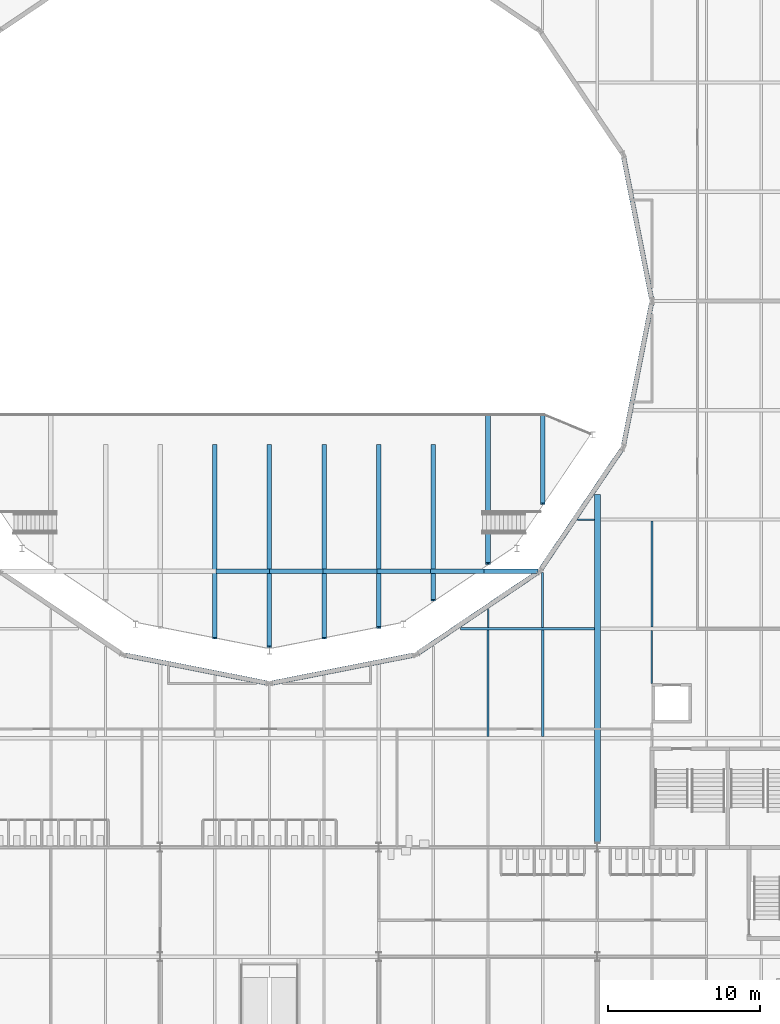
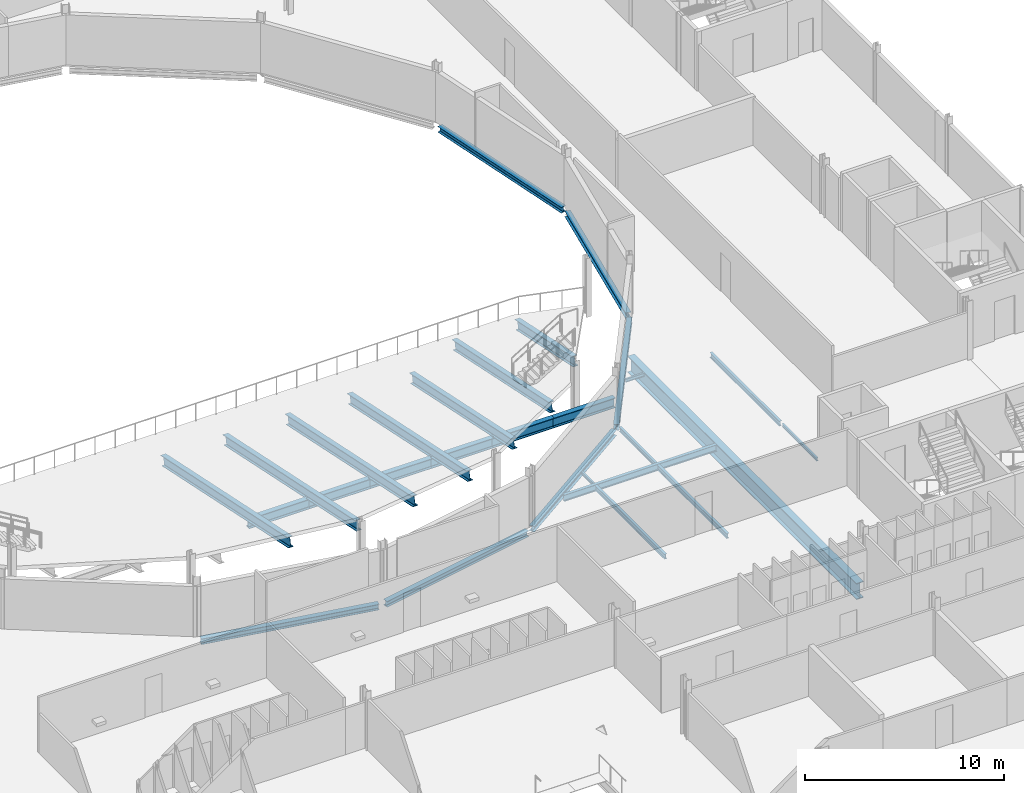
# One storey, part 36 of 124: 22 beams, 6 members.
"""IFC4 building model written with IfcOpenShell, lengths in metres."""

from ifc_helpers import new_model, si_unit, direction, frame, origin, origin_2d, place, context, subcontext, project, spatial, i_section, extrude, material, material_profile, profile_set, type_object, element, save


model = new_model("IFC4")

# Units and contexts
model_context = context("Model", 3, precision=1e-05, world=origin(), true_north=direction((0.0, 1.0)))
body_context = subcontext(model_context, "Body", "Model", "MODEL_VIEW")
ifc_project = project(units=[si_unit("LENGTHUNIT", "METRE"), si_unit("AREAUNIT", "SQUARE_METRE"), si_unit("VOLUMEUNIT", "CUBIC_METRE"), si_unit("PLANEANGLEUNIT", "RADIAN"), si_unit("MASSUNIT", "GRAM", prefix="KILO")], contexts=[model_context])

# Site, building, storey
site_placement = place(None, origin())
site = spatial("IfcSite", under=ifc_project, at=site_placement, CompositionType="ELEMENT")
building_placement = place(site_placement, origin())
building = spatial("IfcBuilding", under=site, at=building_placement, Name="Kupolbacken Congress Centre", CompositionType="ELEMENT")
storey_placement = place(building_placement, frame((0.0, 0.0, 10.800048828125)))
storey = spatial("IfcBuildingStorey", under=building, at=storey_placement, Name="L03", CompositionType="ELEMENT", Elevation=10.800048828125)

# Beams
ifc_material_1 = material(Name="Steel S355", Category="steel")
ifc_material_profile_1 = material_profile(ifc_material_1, i_section(OverallWidth=0.10009765625, OverallDepth=0.199951171875, WebThickness=0.005615234375, FlangeThickness=0.008544921875, FilletRadius=0.011962890625, at=origin_2d()), Name="IPE 200")
ifc_profile_set_1 = profile_set([ifc_material_profile_1], Name="Steel S355")
beam_type_1 = type_object("IfcBeamType", Name="B01 beam IPE 200", PredefinedType="BEAM", material=ifc_profile_set_1)
beam_1_placement = place(storey_placement, frame((63.50927734375, 72.0, -0.280029296875), z_axis=(1.0, 0.0, 0.0), x_axis=(0.0, 1.0, 0.0)))
element("IfcBeam", 1, at=beam_1_placement, inside=storey, type_object=beam_type_1, Name="S/floor/P/L03/R049", PredefinedType="BEAM", context=body_context, shape_type="SweptSolid", body=[
    extrude(i_section(OverallWidth=0.10009765625, OverallDepth=0.199951171875, WebThickness=0.005615234375, FlangeThickness=0.008544921875, FilletRadius=0.011962890625, at=origin_2d()), origin(), (0.0, 0.0, 1.0), 1.0908203125),
])
beam_2_placement = place(storey_placement, frame((57.60009765625, 64.889892578125, -0.280029296875), z_axis=(0.0, 1.0, 0.0), x_axis=(-1.0, 0.0, 0.0)))
element("IfcBeam", 2, at=beam_2_placement, inside=storey, type_object=beam_type_1, Name="S/floor/P/L03/S130", PredefinedType="BEAM", context=body_context, shape_type="SweptSolid", body=[
    extrude(i_section(OverallWidth=0.10009765625, OverallDepth=0.199951171875, WebThickness=0.005615234375, FlangeThickness=0.008544921875, FilletRadius=0.011962890625, at=origin_2d()), origin(), (0.0, 0.0, 1.0), 1.200927734375),
])
beam_3_placement = place(storey_placement, frame((68.39990234375, 61.199951171875, -0.280029296875), z_axis=(0.0, 1.0, 0.0), x_axis=(-1.0, 0.0, 0.0)))
element("IfcBeam", 3, at=beam_3_placement, inside=storey, type_object=beam_type_1, Name="S/floor/P/L03/S167", PredefinedType="BEAM", context=body_context, shape_type="SweptSolid", body=[
    extrude(i_section(OverallWidth=0.10009765625, OverallDepth=0.199951171875, WebThickness=0.005615234375, FlangeThickness=0.008544921875, FilletRadius=0.011962890625, at=origin_2d()), origin(), (0.0, 0.0, 1.0), 3.489990234375),
])
ifc_material_2 = material(Name="Steel S355", Category="steel")
ifc_material_profile_2 = material_profile(ifc_material_2, i_section(OverallWidth=0.135009765625, OverallDepth=0.27001953125, WebThickness=0.006591796875, FlangeThickness=0.01025390625, FilletRadius=0.014892578125, at=origin_2d()), Name="IPE 270")
ifc_profile_set_2 = profile_set([ifc_material_profile_2], Name="Steel S355")
beam_type_2 = type_object("IfcBeamType", Name="B03 beam IPE 270", PredefinedType="BEAM", material=ifc_profile_set_2)
beam_4_placement = place(storey_placement, frame((61.199951171875, 64.889892578125, -0.31494140625), z_axis=(0.0, 1.0, 0.0), x_axis=(-1.0, 0.0, 0.0)))
element("IfcBeam", 4, at=beam_4_placement, inside=storey, type_object=beam_type_2, Name="S/floor/P/L03/S136", PredefinedType="BEAM", context=body_context, shape_type="SweptSolid", body=[
    extrude(i_section(OverallWidth=0.135009765625, OverallDepth=0.27001953125, WebThickness=0.006591796875, FlangeThickness=0.01025390625, FilletRadius=0.014892578125, at=origin_2d()), origin(), (0.0, 0.0, 1.0), 3.63818359375),
])
ifc_material_3 = material(Name="Steel S355", Category="steel")
ifc_material_profile_3 = material_profile(ifc_material_3, i_section(OverallWidth=0.14990234375, OverallDepth=0.300048828125, WebThickness=0.007080078125, FlangeThickness=0.0107421875, FilletRadius=0.014892578125, at=origin_2d()), Name="IPE 300")
ifc_profile_set_3 = profile_set([ifc_material_profile_3], Name="Steel S355")
beam_type_3 = type_object("IfcBeamType", Name="B04 beam IPE 300", PredefinedType="BEAM", material=ifc_profile_set_3)
for number, where, z_axis, x_axis, name in (
    (5, (57.60009765625, 57.7099609375, -0.330078125), (0.0, 1.0, 0.0), (-1.0, 0.0, 0.0), "S/floor/P/L03/S129"),
    (6, (61.199951171875, 57.7099609375, -0.330078125), (0.0, 1.0, 0.0), (-1.0, 0.0, 0.0), "S/floor/P/L03/S135"),
):
    element("IfcBeam", number, at=place(storey_placement, frame(where, z_axis=z_axis, x_axis=x_axis)), inside=storey, type_object=beam_type_3, Name=name, PredefinedType="BEAM", context=body_context, shape_type="SweptSolid", body=[
        extrude(i_section(OverallWidth=0.14990234375, OverallDepth=0.300048828125, WebThickness=0.007080078125, FlangeThickness=0.0107421875, FilletRadius=0.014892578125, at=origin_2d()), origin(), (0.0, 0.0, 1.0), 7.0),
    ])
beam_5_placement = place(storey_placement, frame((68.39990234375, 64.909912109375, -0.330078125), z_axis=(0.0, 1.0, 0.0), x_axis=(-1.0, 0.0, 0.0)))
element("IfcBeam", 7, at=beam_5_placement, inside=storey, type_object=beam_type_3, Name="S/floor/P/L03/S168", PredefinedType="BEAM", context=body_context, shape_type="SweptSolid", body=[
    extrude(i_section(OverallWidth=0.14990234375, OverallDepth=0.300048828125, WebThickness=0.007080078125, FlangeThickness=0.0107421875, FilletRadius=0.014892578125, at=origin_2d()), origin(), (0.0, 0.0, 1.0), 6.97998046875),
])
ifc_material_4 = material(Name="Steel S355", Category="steel")
ifc_material_profile_4 = material_profile(ifc_material_4, i_section(OverallWidth=0.179931640625, OverallDepth=0.39990234375, WebThickness=0.008544921875, FlangeThickness=0.013427734375, FilletRadius=0.02099609375, at=origin_2d()), Name="IPE 400")
ifc_profile_set_4 = profile_set([ifc_material_profile_4], Name="Steel S355")
beam_type_4 = type_object("IfcBeamType", Name="B07 beam IPE 400", PredefinedType="BEAM", material=ifc_profile_set_4)
beam_6_placement = place(storey_placement, frame((55.7705078125, 64.800048828125, -0.380126953125), z_axis=(1.0, 0.0, 0.0), x_axis=(0.0, 1.0, 0.0)))
element("IfcBeam", 8, at=beam_6_placement, inside=storey, type_object=beam_type_4, Name="S/floor/P/L03/R045", PredefinedType="BEAM", context=body_context, shape_type="SweptSolid", body=[
    extrude(i_section(OverallWidth=0.179931640625, OverallDepth=0.39990234375, WebThickness=0.008544921875, FlangeThickness=0.013427734375, FilletRadius=0.02099609375, at=origin_2d()), origin(), (0.0, 0.0, 1.0), 8.82958984375),
])
ifc_material_5 = material(Name="Steel S355", Category="steel")
ifc_material_profile_5 = material_profile(ifc_material_5, i_section(OverallWidth=0.300048828125, OverallDepth=0.35009765625, WebThickness=0.010009765625, FlangeThickness=0.017578125, FilletRadius=0.027099609375, at=origin_2d()), Name="HEA 360")
ifc_profile_set_5 = profile_set([ifc_material_profile_5], Name="Steel S355")
beam_type_5 = type_object("IfcBeamType", Name="B13 beam HEA 360", PredefinedType="BEAM", material=ifc_profile_set_5)
for number, where, z_axis, x_axis, name in (
    (9, (68.360595703125, 86.60009765625, -0.35498046875), (-0.193191886678, 0.981160993376, 0.0), (-0.981160993376, -0.193191886678, 0.0), "S/floor/P/L03/C001"),
    (10, (33.750244140625, 63.060546875, -0.35498046875), (0.981160993376, -0.193191886678, 0.0), (0.193191886678, 0.981160993376, 0.0), "S/floor/P/L03/C012"),
):
    element("IfcBeam", number, at=place(storey_placement, frame(where, z_axis=z_axis, x_axis=x_axis)), inside=storey, type_object=beam_type_5, Name=name, PredefinedType="BEAM", context=body_context, shape_type="SweptSolid", body=[
        extrude(i_section(OverallWidth=0.300048828125, OverallDepth=0.35009765625, WebThickness=0.010009765625, FlangeThickness=0.017578125, FilletRadius=0.027099609375, at=origin_2d()), origin(), (0.0, 0.0, 1.0), 9.42724609375),
    ])
beam_7_placement = place(storey_placement, frame((43.39990234375, 61.2392578125, -0.35498046875), z_axis=(0.981161959896, 0.193186977957, 0.0), x_axis=(-0.193186977957, 0.981161959896, 0.0)))
element("IfcBeam", 11, at=beam_7_placement, inside=storey, type_object=beam_type_5, Name="S/floor/P/L03/C013", PredefinedType="BEAM", context=body_context, shape_type="SweptSolid", body=[
    extrude(i_section(OverallWidth=0.300048828125, OverallDepth=0.35009765625, WebThickness=0.010009765625, FlangeThickness=0.017578125, FilletRadius=0.027099609375, at=origin_2d()), origin(), (0.0, 0.0, 1.0), 9.427490234375),
])
for number, where, z_axis, x_axis, name in (
    (12, (53.019287109375, 63.214111328125, -0.35498046875), (0.828896422049, 0.559402110752, 0.0), (-0.559402110752, 0.828896422049, 0.0), "S/floor/P/L03/C014"),
    (13, (61.114013671875, 68.768798828125, -0.35498046875), (0.559372299764, 0.828916539983, 0.0), (-0.828916539983, 0.559372299764, 0.0), "S/floor/P/L03/C015"),
):
    element("IfcBeam", number, at=place(storey_placement, frame(where, z_axis=z_axis, x_axis=x_axis)), inside=storey, type_object=beam_type_5, Name=name, PredefinedType="BEAM", context=body_context, shape_type="SweptSolid", body=[
        extrude(i_section(OverallWidth=0.300048828125, OverallDepth=0.35009765625, WebThickness=0.010009765625, FlangeThickness=0.017578125, FilletRadius=0.027099609375, at=origin_2d()), origin(), (0.0, 0.0, 1.0), 9.42431640625),
    ])
beam_8_placement = place(storey_placement, frame((66.539306640625, 76.9501953125, -0.35498046875), z_axis=(0.193191886678, 0.981160993376, 0.0), x_axis=(-0.981160993376, 0.193191886678, 0.0)))
element("IfcBeam", 14, at=beam_8_placement, inside=storey, type_object=beam_type_5, Name="S/floor/P/L03/C016", PredefinedType="BEAM", context=body_context, shape_type="SweptSolid", body=[
    extrude(i_section(OverallWidth=0.300048828125, OverallDepth=0.35009765625, WebThickness=0.010009765625, FlangeThickness=0.017578125, FilletRadius=0.027099609375, at=origin_2d()), origin(), (0.0, 0.0, 1.0), 9.42724609375),
])
ifc_material_6 = material(Name="Steel S355", Category="steel")
ifc_material_profile_6 = material_profile(ifc_material_6, i_section(OverallWidth=0.300048828125, OverallDepth=0.60009765625, WebThickness=0.015380859375, FlangeThickness=0.030029296875, FilletRadius=0.027099609375, at=origin_2d()), Name="HEB 600")
ifc_profile_set_6 = profile_set([ifc_material_profile_6], Name="Steel S355")
beam_type_6 = type_object("IfcBeamType", Name="B15 beam HEB 600", PredefinedType="BEAM", material=ifc_profile_set_6)
beam_9_placement = place(storey_placement, frame((39.60009765625, 64.179443359375, 2.942138671875), z_axis=(0.0, 0.978653799147, -0.205515793588), x_axis=(-1.0, 0.0, 0.0)))
element("IfcBeam", 15, at=beam_9_placement, inside=storey, type_object=beam_type_6, Name="Raked balcony beam", PredefinedType="BEAM", context=body_context, shape_type="SweptSolid", body=[
    extrude(i_section(OverallWidth=0.300048828125, OverallDepth=0.60009765625, WebThickness=0.015380859375, FlangeThickness=0.030029296875, FilletRadius=0.027099609375, at=origin_2d()), origin(), (0.0, 0.0, 1.0), 12.984130859375),
])
beam_10_placement = place(storey_placement, frame((43.199951171875, 63.603759765625, 3.06298828125), z_axis=(0.0, 0.978654437253, -0.205512754946), x_axis=(-1.0, 0.0, 0.0)))
element("IfcBeam", 16, at=beam_10_placement, inside=storey, type_object=beam_type_6, Name="Raked balcony beam", PredefinedType="BEAM", context=body_context, shape_type="SweptSolid", body=[
    extrude(i_section(OverallWidth=0.300048828125, OverallDepth=0.60009765625, WebThickness=0.015380859375, FlangeThickness=0.030029296875, FilletRadius=0.027099609375, at=origin_2d()), origin(), (0.0, 0.0, 1.0), 13.572509765625),
])
beam_11_placement = place(storey_placement, frame((46.800048828125, 64.179443359375, 2.942138671875), z_axis=(0.0, 0.978653799147, -0.205515793588), x_axis=(-1.0, 0.0, 0.0)))
element("IfcBeam", 17, at=beam_11_placement, inside=storey, type_object=beam_type_6, Name="Raked balcony beam", PredefinedType="BEAM", context=body_context, shape_type="SweptSolid", body=[
    extrude(i_section(OverallWidth=0.300048828125, OverallDepth=0.60009765625, WebThickness=0.015380859375, FlangeThickness=0.030029296875, FilletRadius=0.027099609375, at=origin_2d()), origin(), (0.0, 0.0, 1.0), 12.984130859375),
])
beam_12_placement = place(storey_placement, frame((50.39990234375, 64.89501953125, 2.7919921875), z_axis=(0.0, 0.978651773342, -0.205525440113), x_axis=(-1.0, 0.0, 0.0)))
element("IfcBeam", 18, at=beam_12_placement, inside=storey, type_object=beam_type_6, Name="Raked balcony beam", PredefinedType="BEAM", context=body_context, shape_type="SweptSolid", body=[
    extrude(i_section(OverallWidth=0.300048828125, OverallDepth=0.60009765625, WebThickness=0.015380859375, FlangeThickness=0.030029296875, FilletRadius=0.027099609375, at=origin_2d()), origin(), (0.0, 0.0, 1.0), 12.2529296875),
])
beam_13_placement = place(storey_placement, frame((54.0, 66.682861328125, 2.41650390625), z_axis=(0.0, 0.978652272067, -0.205523065319), x_axis=(-1.0, 0.0, 0.0)))
element("IfcBeam", 19, at=beam_13_placement, inside=storey, type_object=beam_type_6, Name="Raked balcony beam", PredefinedType="BEAM", context=body_context, shape_type="SweptSolid", body=[
    extrude(i_section(OverallWidth=0.300048828125, OverallDepth=0.60009765625, WebThickness=0.015380859375, FlangeThickness=0.030029296875, FilletRadius=0.027099609375, at=origin_2d()), origin(), (0.0, 0.0, 1.0), 10.42626953125),
])
ifc_material_7 = material(Name="Steel S355", Category="steel")
ifc_material_profile_7 = material_profile(ifc_material_7, i_section(OverallWidth=0.39990234375, OverallDepth=1.0, WebThickness=0.02197265625, FlangeThickness=0.044921875, at=origin_2d()), Name="PG 1000 x 400")
ifc_profile_set_7 = profile_set([ifc_material_profile_7], Name="Steel S355")
beam_type_7 = type_object("IfcBeamType", Name="B23 beam PG 1000 x 400", PredefinedType="BEAM", material=ifc_profile_set_7)
beam_14_placement = place(storey_placement, frame((64.800048828125, 50.699951171875, -0.679931640625), z_axis=(0.0, 1.0, 0.0), x_axis=(-1.0, 0.0, 0.0)))
element("IfcBeam", 20, at=beam_14_placement, inside=storey, type_object=beam_type_7, Name="S/floor/P/L03/G029", PredefinedType="BEAM", context=body_context, shape_type="SweptSolid", body=[
    extrude(i_section(OverallWidth=0.39990234375, OverallDepth=1.0, WebThickness=0.02197265625, FlangeThickness=0.044921875, at=origin_2d()), origin(), (0.0, 0.0, 1.0), 22.966552734375),
])
ifc_material_8 = material(Name="Steel S355", Category="steel")
ifc_material_profile_8 = material_profile(ifc_material_8, i_section(OverallWidth=0.300048828125, OverallDepth=0.590087890625, WebThickness=0.012939453125, FlangeThickness=0.02490234375, FilletRadius=0.027099609375, at=origin_2d()), Name="HEA 600")
ifc_profile_set_8 = profile_set([ifc_material_profile_8], Name="Steel S355")
beam_type_8 = type_object("IfcBeamType", Name="B24 beam HEA 600", PredefinedType="BEAM", material=ifc_profile_set_8)
beam_15_placement = place(storey_placement, frame((57.60009765625, 69.1123046875, 1.911376953125), z_axis=(0.0, 0.9786537927, -0.205515824291), x_axis=(-1.0, 0.0, 0.0)))
element("IfcBeam", 21, at=beam_15_placement, inside=storey, type_object=beam_type_8, Name="Raked balcony beam", PredefinedType="BEAM", context=body_context, shape_type="SweptSolid", body=[
    extrude(i_section(OverallWidth=0.300048828125, OverallDepth=0.590087890625, WebThickness=0.012939453125, FlangeThickness=0.02490234375, FilletRadius=0.027099609375, at=origin_2d()), origin(), (0.0, 0.0, 1.0), 9.9501953125),
])
beam_16_placement = place(storey_placement, frame((61.199951171875, 73.0458984375, 1.085205078125), z_axis=(0.0, 0.978652492664, -0.205522014887), x_axis=(-1.0, 0.0, 0.0)))
element("IfcBeam", 22, at=beam_16_placement, inside=storey, type_object=beam_type_8, Name="Raked balcony beam", PredefinedType="BEAM", context=body_context, shape_type="SweptSolid", body=[
    extrude(i_section(OverallWidth=0.300048828125, OverallDepth=0.590087890625, WebThickness=0.012939453125, FlangeThickness=0.02490234375, FilletRadius=0.027099609375, at=origin_2d()), origin(), (0.0, 0.0, 1.0), 5.869384765625),
])

# Members
ifc_material_9 = material(Name="Steel S355", Category="steel")
ifc_material_profile_9 = material_profile(ifc_material_9, i_section(OverallWidth=0.300048828125, OverallDepth=0.60009765625, WebThickness=0.015380859375, FlangeThickness=0.030029296875, FilletRadius=0.027099609375, at=origin_2d()), Name="HEB 600")
ifc_profile_set_9 = profile_set([ifc_material_profile_9], Name="Steel S355")
member_type = type_object("IfcMemberType", Name="M02 transfer truss chord HEB 600", PredefinedType="CHORD", material=ifc_profile_set_9)
for number, where, z_axis, x_axis, name in (
    (23, (39.6640625, 68.580810546875, 1.43408203125), (1.0, 0.0, 0.0), (0.0, 1.0, 0.0), "PD/L02/balc/trussR/TC05"),
    (24, (43.199951171875, 68.580810546875, 1.43408203125), (1.0, 0.0, 0.0), (0.0, 1.0, 0.0), "PD/L02/balc/trussR/TC06"),
    (25, (46.73583984375, 68.580810546875, 1.43408203125), (1.0, 0.0, 0.0), (0.0, 1.0, 0.0), "PD/L02/balc/trussR/TC07"),
):
    element("IfcMember", number, at=place(storey_placement, frame(where, z_axis=z_axis, x_axis=x_axis)), inside=storey, type_object=member_type, Name=name, PredefinedType="CHORD", context=body_context, shape_type="SweptSolid", body=[
        extrude(i_section(OverallWidth=0.300048828125, OverallDepth=0.60009765625, WebThickness=0.015380859375, FlangeThickness=0.030029296875, FilletRadius=0.027099609375, at=origin_2d()), origin(), (0.0, 0.0, 1.0), 3.535888671875),
    ])
member_placement = place(storey_placement, frame((50.271728515625, 68.580810546875, 1.43408203125), z_axis=(1.0, 0.0, 0.0), x_axis=(0.0, 1.0, 0.0)))
element("IfcMember", 26, at=member_placement, inside=storey, type_object=member_type, Name="PD/L02/balc/trussR/TC08", PredefinedType="CHORD", context=body_context, shape_type="SweptSolid", body=[
    extrude(i_section(OverallWidth=0.300048828125, OverallDepth=0.60009765625, WebThickness=0.015380859375, FlangeThickness=0.030029296875, FilletRadius=0.027099609375, at=origin_2d()), origin(), (0.0, 0.0, 1.0), 3.53564453125),
])
for number, where, z_axis, x_axis, name in (
    (27, (53.807373046875, 68.580810546875, 1.43408203125), (1.0, 0.0, 0.0), (0.0, 1.0, 0.0), "PD/L02/balc/trussR/TC09"),
    (28, (57.34326171875, 68.580810546875, 1.43408203125), (1.0, 0.0, 0.0), (0.0, 1.0, 0.0), "PD/L02/balc/trussR/TC10"),
):
    element("IfcMember", number, at=place(storey_placement, frame(where, z_axis=z_axis, x_axis=x_axis)), inside=storey, type_object=member_type, Name=name, PredefinedType="CHORD", context=body_context, shape_type="SweptSolid", body=[
        extrude(i_section(OverallWidth=0.300048828125, OverallDepth=0.60009765625, WebThickness=0.015380859375, FlangeThickness=0.030029296875, FilletRadius=0.027099609375, at=origin_2d()), origin(), (0.0, 0.0, 1.0), 3.535888671875),
    ])

save(model, "model.ifc")
